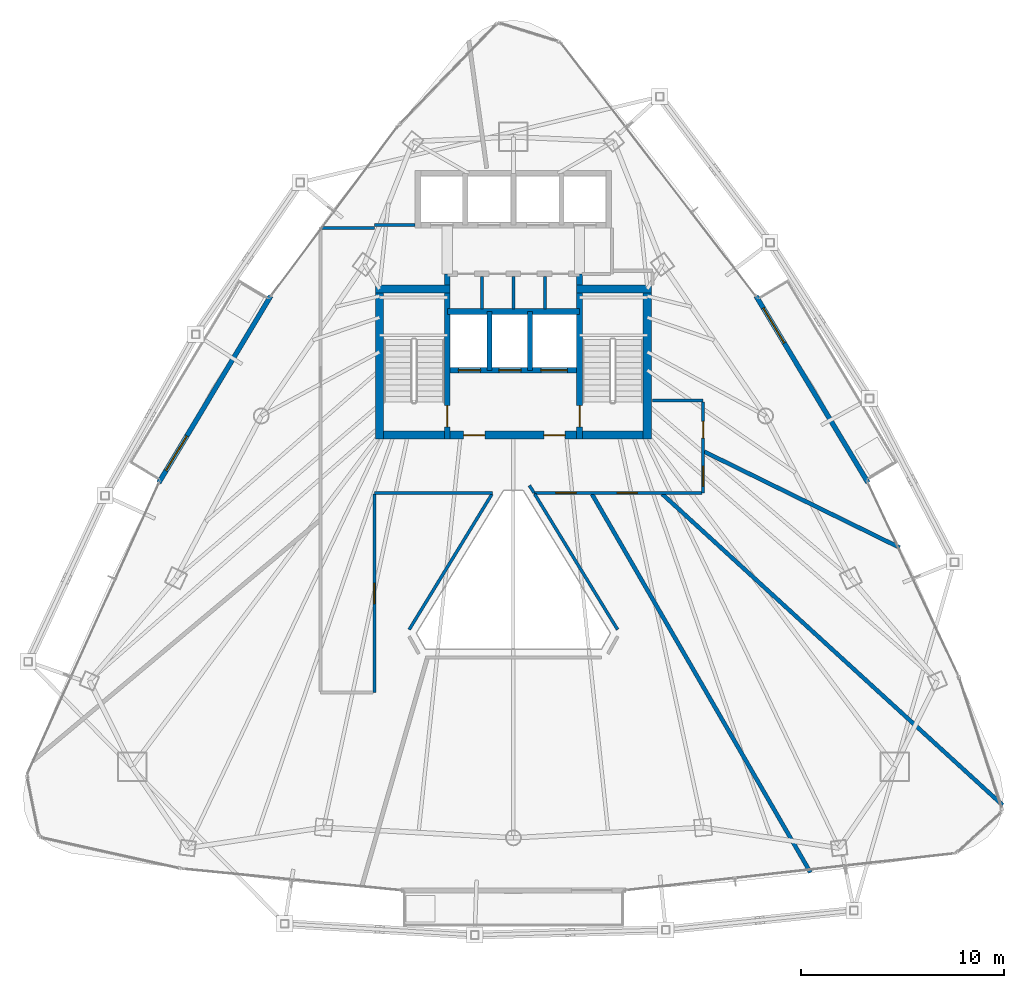
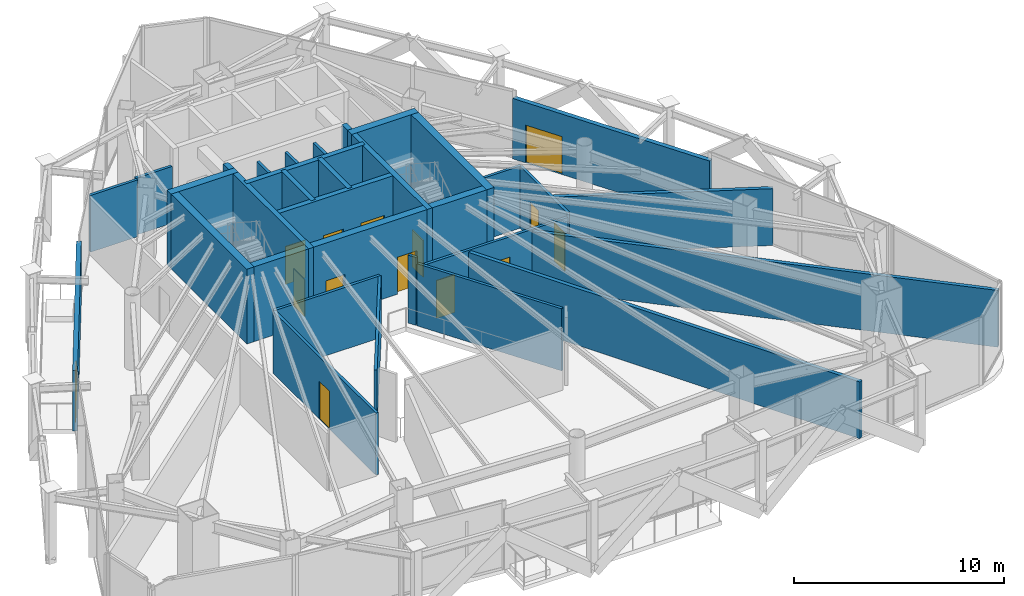
# One storey, part 23 of 27: 29 walls, 14 doors, 14 openings.
"""IFC4 building model written with IfcOpenShell, lengths in metres."""

from ifc_helpers import new_model, si_unit, direction, frame, frame_2d, origin, place, context, subcontext, project, spatial, rectangle, extrude, material, layer, layer_set, type_object, element, fill, save


model = new_model("IFC4")

# Units and contexts
model_context = context("Model", 3, precision=1e-05, world=origin(), true_north=direction((0.0, 1.0)))
body_context = subcontext(model_context, "Body", "Model", "MODEL_VIEW")
ifc_project = project(units=[si_unit("LENGTHUNIT", "METRE"), si_unit("AREAUNIT", "SQUARE_METRE"), si_unit("VOLUMEUNIT", "CUBIC_METRE"), si_unit("PLANEANGLEUNIT", "RADIAN"), si_unit("MASSUNIT", "GRAM", prefix="KILO")], contexts=[model_context])

# Site, building, storey
site_placement = place(None, origin())
site = spatial("IfcSite", under=ifc_project, at=site_placement, CompositionType="ELEMENT")
building_placement = place(site_placement, origin())
building = spatial("IfcBuilding", under=site, at=building_placement, Name="Orvanel Arch Residences", CompositionType="ELEMENT")
storey_placement = place(building_placement, frame((0.0, 0.0, 186.949951171875)))
storey = spatial("IfcBuildingStorey", under=building, at=storey_placement, Name="L53", CompositionType="ELEMENT", Elevation=186.949951171875)

# Wall, opening, door
ifc_material_1 = material(Name="Precast concrete N50 (50 MPa)", Category="concrete")
ifc_layer_1 = layer(ifc_material_1, 0.239990234375)
ifc_layer_set_1 = layer_set([ifc_layer_1], Name="Precast concrete N50 (50 MPa)")
wall_type_1 = type_object("IfcWallType", Name="EW-BAL-240", PredefinedType="SOLIDWALL", material=ifc_layer_set_1)
wall_1_placement = place(storey_placement, frame((21.035888671875, 33.554931640625, 0.0), z_axis=(0.0, 0.0, 1.0), x_axis=(-0.514325167784, -0.857595255224, 0.0)))
wall_1 = element("IfcWall", 1, at=wall_1_placement, inside=storey, type_object=wall_type_1, Name="L53 Balcony Threshold Wall Face 1", PredefinedType="SOLIDWALL", context=body_context, shape_type="SweptSolid", body=[
    extrude(rectangle(XDim=10.734375, YDim=0.239990234375, at=frame_2d((5.3671875, 0.0))), origin(), (0.0, 0.0, 1.0), 3.51416015625),
])
opening_1_placement = place(wall_1_placement, frame((8.037109375, 0.0, 0.0)))
opening_1 = element("IfcOpeningElement", 2, at=opening_1_placement, cuts=wall_1, Name="Opening DT-200", PredefinedType="OPENING", context=body_context, shape_type="SweptSolid", body=[
    extrude(rectangle(XDim=2.0, YDim=2.199951171875, at=frame_2d((1.0, 1.10009765625))), frame((0.0, 0.1298828125, 0.0), z_axis=(0.0, -1.0, 0.0), x_axis=(1.0, 0.0, 0.0)), (0.0, 0.0, 1.0), 0.260009765625),
])
ifc_material_2 = material(Name="Bronze-anodised aluminium AA6063-T6", Category="aluminium")
door_type_1 = type_object("IfcDoorType", Name="DR-TER-2000", OperationType="NOTDEFINED", PredefinedType="DOOR", material=ifc_material_2)
door_1_placement = place(opening_1_placement, origin())
door_1 = element("IfcDoor", 3, at=door_1_placement, inside=storey, type_object=door_type_1, Name="DR-L53-BAL-F1 L53 Planted Balcony Access Door Face 1", OperationType="SINGLE_SWING_LEFT", OverallHeight=2.199951171875, OverallWidth=2.0, PredefinedType="DOOR", context=body_context, shape_type="SweptSolid", body=[
    extrude(rectangle(XDim=2.0, YDim=2.199951171875, at=frame_2d((1.0, 1.10009765625))), frame((0.0, 0.02490234375, 0.0), z_axis=(0.0, -1.0, 0.0), x_axis=(1.0, 0.0, 0.0)), (0.0, 0.0, 1.0), 0.050048828125),
])
fill(opening_1, door_1)

wall_2_placement = place(storey_placement, frame((50.485107421875, 24.34912109375, 0.0), z_axis=(0.0, 0.0, 1.0), x_axis=(-0.514325167784, 0.857595255224, 0.0)))
wall_2 = element("IfcWall", 4, at=wall_2_placement, inside=storey, type_object=wall_type_1, Name="L53 Balcony Threshold Wall Face 3", PredefinedType="SOLIDWALL", context=body_context, shape_type="SweptSolid", body=[
    extrude(rectangle(XDim=10.734375, YDim=0.239990234375, at=frame_2d((5.3671875, 0.0))), origin(), (0.0, 0.0, 1.0), 3.51416015625),
])
opening_2_placement = place(wall_2_placement, frame((8.037109375, 0.0, 0.0)))
opening_2 = element("IfcOpeningElement", 5, at=opening_2_placement, cuts=wall_2, Name="Opening DT-200", PredefinedType="OPENING", context=body_context, shape_type="SweptSolid", body=[
    extrude(rectangle(XDim=2.0, YDim=2.199951171875, at=frame_2d((1.0, 1.10009765625))), frame((0.0, 0.1298828125, 0.0), z_axis=(0.0, -1.0, 0.0), x_axis=(1.0, 0.0, 0.0)), (0.0, 0.0, 1.0), 0.260009765625),
])
door_2_placement = place(opening_2_placement, origin())
door_2 = element("IfcDoor", 6, at=door_2_placement, inside=storey, type_object=door_type_1, Name="DR-L53-BAL-F3 L53 Planted Balcony Access Door Face 3", OperationType="SINGLE_SWING_LEFT", OverallHeight=2.199951171875, OverallWidth=2.0, PredefinedType="DOOR", context=body_context, shape_type="SweptSolid", body=[
    extrude(rectangle(XDim=2.0, YDim=2.199951171875, at=frame_2d((1.0, 1.10009765625))), frame((0.0, 0.02490234375, 0.0), z_axis=(0.0, -1.0, 0.0), x_axis=(1.0, 0.0, 0.0)), (0.0, 0.0, 1.0), 0.050048828125),
])
fill(opening_2, door_2)

# Walls
ifc_material_3 = material(Name="Concrete N50 (50 MPa)", Category="concrete")
ifc_layer_2 = layer(ifc_material_3, 0.25)
ifc_layer_set_2 = layer_set([ifc_layer_2], Name="Concrete N50 (50 MPa)")
wall_type_2 = type_object("IfcWallType", Name="SW-CORE-250", PredefinedType="SHEAR", material=ifc_layer_set_2)
for number, where, z_axis, x_axis, name in (
    (7, (31.824951171875, 29.889892578125, 0.0), (0.0, 0.0, 1.0), (0.0, 1.0, 0.0), "L53 Emergency Lift Inter-Shaft Wall F12"),
    (8, (33.824951171875, 29.889892578125, 0.0), (0.0, 0.0, 1.0), (0.0, 1.0, 0.0), "L53 Emergency Lift Inter-Shaft Wall F2G"),
):
    element("IfcWall", number, at=place(storey_placement, frame(where, z_axis=z_axis, x_axis=x_axis)), inside=storey, type_object=wall_type_2, Name=name, PredefinedType="SHEAR", context=body_context, shape_type="SweptSolid", body=[
        extrude(rectangle(XDim=2.900146484375, YDim=0.25, at=frame_2d((1.4501953125, 0.0))), origin(), (0.0, 0.0, 1.0), 4.35009765625),
    ])

# Wall, opening, door
ifc_material_4 = material(Name="Concrete S65 (65 MPa)", Category="concrete")
ifc_layer_3 = layer(ifc_material_4, 0.280029296875)
ifc_layer_set_3 = layer_set([ifc_layer_3], Name="Concrete S65 (65 MPa)")
wall_type_3 = type_object("IfcWallType", Name="SW-CORE-280", PredefinedType="SHEAR", material=ifc_layer_set_3)
wall_3_placement = place(storey_placement, frame((29.739990234375, 26.5, 0.0), z_axis=(0.0, 0.0, 1.0), x_axis=(0.0, 1.0, 0.0)))
wall_3 = element("IfcWall", 9, at=wall_3_placement, inside=storey, type_object=wall_type_3, Name="L53 West Inner Core Spine Shear Wall", PredefinedType="SHEAR", context=body_context, shape_type="SweptSolid", body=[
    extrude(rectangle(XDim=8.14990234375, YDim=0.280029296875, at=frame_2d((4.074951171875, 0.0))), origin(), (0.0, 0.0, 1.0), 4.35009765625),
])
opening_3_placement = place(wall_3_placement, frame((0.60009765625, 0.0, 0.0)))
opening_3 = element("IfcOpeningElement", 10, at=opening_3_placement, cuts=wall_3, Name="Opening DF-120", PredefinedType="OPENING", context=body_context, shape_type="SweptSolid", body=[
    extrude(rectangle(XDim=1.050048828125, YDim=2.14990234375, at=frame_2d((0.52490234375, 1.074951171875))), frame((0.0, 0.14990234375, 0.0), z_axis=(0.0, -1.0, 0.0), x_axis=(1.0, 0.0, 0.0)), (0.0, 0.0, 1.0), 0.300048828125),
])
ifc_material_5 = material(Name="Galvanised steel fire-resisting door assembly", Category="steel")
door_type_2 = type_object("IfcDoorType", Name="DR-FD120-1050", OperationType="NOTDEFINED", PredefinedType="DOOR", material=ifc_material_5)
door_3_placement = place(opening_3_placement, origin())
door_3 = element("IfcDoor", 11, at=door_3_placement, inside=storey, type_object=door_type_2, Name="DR-L53-ST1 L53 Stair 1 Fire Door", OperationType="SINGLE_SWING_LEFT", OverallHeight=2.14990234375, OverallWidth=1.050048828125, PredefinedType="DOOR", context=body_context, shape_type="SweptSolid", body=[
    extrude(rectangle(XDim=1.050048828125, YDim=2.14990234375, at=frame_2d((0.52490234375, 1.074951171875))), frame((0.0, 0.02490234375, 0.0), z_axis=(0.0, -1.0, 0.0), x_axis=(1.0, 0.0, 0.0)), (0.0, 0.0, 1.0), 0.050048828125),
])
fill(opening_3, door_3)

wall_4_placement = place(storey_placement, frame((36.260009765625, 26.5, 0.0), z_axis=(0.0, 0.0, 1.0), x_axis=(0.0, 1.0, 0.0)))
wall_4 = element("IfcWall", 12, at=wall_4_placement, inside=storey, type_object=wall_type_3, Name="L53 East Inner Core Spine Shear Wall", PredefinedType="SHEAR", context=body_context, shape_type="SweptSolid", body=[
    extrude(rectangle(XDim=8.14990234375, YDim=0.280029296875, at=frame_2d((4.074951171875, 0.0))), origin(), (0.0, 0.0, 1.0), 4.35009765625),
])
opening_4_placement = place(wall_4_placement, frame((0.60009765625, 0.0, 0.0)))
opening_4 = element("IfcOpeningElement", 13, at=opening_4_placement, cuts=wall_4, Name="Opening DF-120", PredefinedType="OPENING", context=body_context, shape_type="SweptSolid", body=[
    extrude(rectangle(XDim=1.050048828125, YDim=2.14990234375, at=frame_2d((0.52490234375, 1.074951171875))), frame((0.0, 0.14990234375, 0.0), z_axis=(0.0, -1.0, 0.0), x_axis=(1.0, 0.0, 0.0)), (0.0, 0.0, 1.0), 0.300048828125),
])
door_4_placement = place(opening_4_placement, origin())
door_4 = element("IfcDoor", 14, at=door_4_placement, inside=storey, type_object=door_type_2, Name="DR-L53-ST2 L53 Stair 2 Fire Door", OperationType="SINGLE_SWING_RIGHT", OverallHeight=2.14990234375, OverallWidth=1.050048828125, PredefinedType="DOOR", context=body_context, shape_type="SweptSolid", body=[
    extrude(rectangle(XDim=1.050048828125, YDim=2.14990234375, at=frame_2d((0.52490234375, 1.074951171875))), frame((0.0, 0.02490234375, 0.0), z_axis=(0.0, -1.0, 0.0), x_axis=(1.0, 0.0, 0.0)), (0.0, 0.0, 1.0), 0.050048828125),
])
fill(opening_4, door_4)

# Wall, openings, doors
wall_5_placement = place(storey_placement, frame((36.260009765625, 29.889892578125, 0.0), z_axis=(0.0, 0.0, 1.0), x_axis=(-1.0, 0.0, 0.0)))
wall_5 = element("IfcWall", 15, at=wall_5_placement, inside=storey, type_object=wall_type_3, Name="L53 Emergency Lift Front Core Shear Wall", PredefinedType="SHEAR", context=body_context, shape_type="SweptSolid", body=[
    extrude(rectangle(XDim=6.52001953125, YDim=0.280029296875, at=frame_2d((3.260009765625, 0.0))), origin(), (0.0, 0.0, 1.0), 4.35009765625),
])
opening_5_placement = place(wall_5_placement, frame((4.875, 0.0, 0.0)))
opening_5 = element("IfcOpeningElement", 16, at=opening_5_placement, cuts=wall_5, Name="Opening LD-110", PredefinedType="OPENING", context=body_context, shape_type="SweptSolid", body=[
    extrude(rectangle(XDim=1.10009765625, YDim=2.199951171875, at=frame_2d((0.550048828125, 1.10009765625))), frame((0.0, 0.14990234375, 0.0), z_axis=(0.0, -1.0, 0.0), x_axis=(1.0, 0.0, 0.0)), (0.0, 0.0, 1.0), 0.300048828125),
])
opening_6_placement = place(wall_5_placement, frame((2.875, 0.0, 0.0)))
opening_6 = element("IfcOpeningElement", 17, at=opening_6_placement, cuts=wall_5, Name="Opening LD-110", PredefinedType="OPENING", context=body_context, shape_type="SweptSolid", body=[
    extrude(rectangle(XDim=1.10009765625, YDim=2.199951171875, at=frame_2d((0.550048828125, 1.10009765625))), frame((0.0, 0.14990234375, 0.0), z_axis=(0.0, -1.0, 0.0), x_axis=(1.0, 0.0, 0.0)), (0.0, 0.0, 1.0), 0.300048828125),
])
opening_7_placement = place(wall_5_placement, frame((0.60009765625, 0.0, 0.0)))
opening_7 = element("IfcOpeningElement", 18, at=opening_7_placement, cuts=wall_5, Name="Opening LD-130", PredefinedType="OPENING", context=body_context, shape_type="SweptSolid", body=[
    extrude(rectangle(XDim=1.300048828125, YDim=2.199951171875, at=frame_2d((0.64990234375, 1.10009765625))), frame((0.0, 0.14990234375, 0.0), z_axis=(0.0, -1.0, 0.0), x_axis=(1.0, 0.0, 0.0)), (0.0, 0.0, 1.0), 0.300048828125),
])
door_type_3 = type_object("IfcDoorType", Name="DR-LFT-1100", OperationType="NOTDEFINED", PredefinedType="DOOR", material=ifc_material_5)
door_5_placement = place(opening_5_placement, origin())
door_5 = element("IfcDoor", 19, at=door_5_placement, inside=storey, type_object=door_type_3, Name="LD-F1-L53 L53 Lift F1 Sliding Landing Door", OperationType="DOUBLE_DOOR_SLIDING", OverallHeight=2.199951171875, OverallWidth=1.10009765625, PredefinedType="DOOR", context=body_context, shape_type="SweptSolid", body=[
    extrude(rectangle(XDim=1.10009765625, YDim=2.199951171875, at=frame_2d((0.550048828125, 1.10009765625))), frame((0.0, 0.02490234375, 0.0), z_axis=(0.0, -1.0, 0.0), x_axis=(1.0, 0.0, 0.0)), (0.0, 0.0, 1.0), 0.050048828125),
])
fill(opening_5, door_5)
door_6_placement = place(opening_6_placement, origin())
door_6 = element("IfcDoor", 20, at=door_6_placement, inside=storey, type_object=door_type_3, Name="LD-F2-L53 L53 Lift F2 Sliding Landing Door", OperationType="DOUBLE_DOOR_SLIDING", OverallHeight=2.199951171875, OverallWidth=1.10009765625, PredefinedType="DOOR", context=body_context, shape_type="SweptSolid", body=[
    extrude(rectangle(XDim=1.10009765625, YDim=2.199951171875, at=frame_2d((0.550048828125, 1.10009765625))), frame((0.0, 0.02490234375, 0.0), z_axis=(0.0, -1.0, 0.0), x_axis=(1.0, 0.0, 0.0)), (0.0, 0.0, 1.0), 0.050048828125),
])
fill(opening_6, door_6)
door_type_4 = type_object("IfcDoorType", Name="DR-LFT-1300", OperationType="NOTDEFINED", PredefinedType="DOOR", material=ifc_material_5)
door_7_placement = place(opening_7_placement, origin())
door_7 = element("IfcDoor", 21, at=door_7_placement, inside=storey, type_object=door_type_4, Name="LD-G1-L53 L53 Lift G1 Sliding Landing Door", OperationType="DOUBLE_DOOR_SLIDING", OverallHeight=2.199951171875, OverallWidth=1.300048828125, PredefinedType="DOOR", context=body_context, shape_type="SweptSolid", body=[
    extrude(rectangle(XDim=1.300048828125, YDim=2.199951171875, at=frame_2d((0.64990234375, 1.10009765625))), frame((0.0, 0.02490234375, 0.0), z_axis=(0.0, -1.0, 0.0), x_axis=(1.0, 0.0, 0.0)), (0.0, 0.0, 1.0), 0.050048828125),
])
fill(opening_7, door_7)

# Wall
wall_6_placement = place(storey_placement, frame((29.739990234375, 32.7900390625, 0.0), z_axis=(0.0, 0.0, 1.0), x_axis=(1.0, 0.0, 0.0)))
element("IfcWall", 22, at=wall_6_placement, inside=storey, type_object=wall_type_3, Name="L53 Emergency Lift Back Core Shear Wall", PredefinedType="SHEAR", context=body_context, shape_type="SweptSolid", body=[
    extrude(rectangle(XDim=6.52001953125, YDim=0.280029296875, at=frame_2d((3.260009765625, 0.0))), origin(), (0.0, 0.0, 1.0), 4.35009765625),
])

# Wall, openings, doors
ifc_layer_4 = layer(ifc_material_4, 0.39990234375)
ifc_layer_set_4 = layer_set([ifc_layer_4], Name="Concrete S65 (65 MPa)")
wall_type_4 = type_object("IfcWallType", Name="SW-CORE-400", PredefinedType="SHEAR", material=ifc_layer_set_4)
wall_7_placement = place(storey_placement, frame((26.199951171875, 26.699951171875, 0.0), z_axis=(0.0, 0.0, 1.0), x_axis=(1.0, 0.0, 0.0)))
wall_7 = element("IfcWall", 23, at=wall_7_placement, inside=storey, type_object=wall_type_4, Name="L53 South Core Shear Wall", PredefinedType="SHEAR", context=body_context, shape_type="SweptSolid", body=[
    extrude(rectangle(XDim=13.60009765625, YDim=0.39990234375, at=frame_2d((6.800048828125, 0.0))), origin(), (0.0, 0.0, 1.0), 4.35009765625),
])
opening_8_placement = place(wall_7_placement, frame((4.35009765625, 0.0, 0.0)))
opening_8 = element("IfcOpeningElement", 24, at=opening_8_placement, cuts=wall_7, Name="Opening DF-060", PredefinedType="OPENING", context=body_context, shape_type="SweptSolid", body=[
    extrude(rectangle(XDim=1.050048828125, YDim=2.14990234375, at=frame_2d((0.52490234375, 1.074951171875))), frame((0.0, 0.2099609375, 0.0), z_axis=(0.0, -1.0, 0.0), x_axis=(1.0, 0.0, 0.0)), (0.0, 0.0, 1.0), 0.419921875),
])
opening_9_placement = place(wall_7_placement, frame((8.300048828125, 0.0, 0.0)))
opening_9 = element("IfcOpeningElement", 25, at=opening_9_placement, cuts=wall_7, Name="Opening DF-060", PredefinedType="OPENING", context=body_context, shape_type="SweptSolid", body=[
    extrude(rectangle(XDim=1.050048828125, YDim=2.14990234375, at=frame_2d((0.52490234375, 1.074951171875))), frame((0.0, 0.2099609375, 0.0), z_axis=(0.0, -1.0, 0.0), x_axis=(1.0, 0.0, 0.0)), (0.0, 0.0, 1.0), 0.419921875),
])
door_type_5 = type_object("IfcDoorType", Name="DR-FD60-1050", OperationType="NOTDEFINED", PredefinedType="DOOR", material=ifc_material_5)
door_8_placement = place(opening_8_placement, origin())
door_8 = element("IfcDoor", 26, at=door_8_placement, inside=storey, type_object=door_type_5, Name="DR-L53-FFL-W L53 West Smoke Lobby Door", OperationType="SINGLE_SWING_LEFT", OverallHeight=2.14990234375, OverallWidth=1.050048828125, PredefinedType="DOOR", context=body_context, shape_type="SweptSolid", body=[
    extrude(rectangle(XDim=1.050048828125, YDim=2.14990234375, at=frame_2d((0.52490234375, 1.074951171875))), frame((0.0, 0.02490234375, 0.0), z_axis=(0.0, -1.0, 0.0), x_axis=(1.0, 0.0, 0.0)), (0.0, 0.0, 1.0), 0.050048828125),
])
fill(opening_8, door_8)
door_9_placement = place(opening_9_placement, origin())
door_9 = element("IfcDoor", 27, at=door_9_placement, inside=storey, type_object=door_type_5, Name="DR-L53-FFL-E L53 East Smoke Lobby Door", OperationType="SINGLE_SWING_RIGHT", OverallHeight=2.14990234375, OverallWidth=1.050048828125, PredefinedType="DOOR", context=body_context, shape_type="SweptSolid", body=[
    extrude(rectangle(XDim=1.050048828125, YDim=2.14990234375, at=frame_2d((0.52490234375, 1.074951171875))), frame((0.0, 0.02490234375, 0.0), z_axis=(0.0, -1.0, 0.0), x_axis=(1.0, 0.0, 0.0)), (0.0, 0.0, 1.0), 0.050048828125),
])
fill(opening_9, door_9)

# Walls
wall_8_placement = place(storey_placement, frame((26.39990234375, 26.5, 0.0), z_axis=(0.0, 0.0, 1.0), x_axis=(0.0, 1.0, 0.0)))
element("IfcWall", 28, at=wall_8_placement, inside=storey, type_object=wall_type_4, Name="L53 West Stair Shear Wall", PredefinedType="SHEAR", context=body_context, shape_type="SweptSolid", body=[
    extrude(rectangle(XDim=7.60009765625, YDim=0.39990234375, at=frame_2d((3.800048828125, 0.0))), origin(), (0.0, 0.0, 1.0), 4.35009765625),
])
wall_9_placement = place(storey_placement, frame((26.199951171875, 33.89990234375, 0.0), z_axis=(0.0, 0.0, 1.0), x_axis=(1.0, 0.0, 0.0)))
element("IfcWall", 29, at=wall_9_placement, inside=storey, type_object=wall_type_4, Name="L53 West Stair North Shear Wall", PredefinedType="SHEAR", context=body_context, shape_type="SweptSolid", body=[
    extrude(rectangle(XDim=3.679931640625, YDim=0.39990234375, at=frame_2d((1.83984375, 0.0))), origin(), (0.0, 0.0, 1.0), 4.35009765625),
])
wall_10_placement = place(storey_placement, frame((39.60009765625, 26.5, 0.0), z_axis=(0.0, 0.0, 1.0), x_axis=(0.0, 1.0, 0.0)))
element("IfcWall", 30, at=wall_10_placement, inside=storey, type_object=wall_type_4, Name="L53 East Stair Shear Wall", PredefinedType="SHEAR", context=body_context, shape_type="SweptSolid", body=[
    extrude(rectangle(XDim=7.60009765625, YDim=0.39990234375, at=frame_2d((3.800048828125, 0.0))), origin(), (0.0, 0.0, 1.0), 4.35009765625),
])
wall_11_placement = place(storey_placement, frame((36.1201171875, 33.89990234375, 0.0), z_axis=(0.0, 0.0, 1.0), x_axis=(1.0, 0.0, 0.0)))
element("IfcWall", 31, at=wall_11_placement, inside=storey, type_object=wall_type_4, Name="L53 East Stair North Shear Wall", PredefinedType="SHEAR", context=body_context, shape_type="SweptSolid", body=[
    extrude(rectangle(XDim=3.679931640625, YDim=0.39990234375, at=frame_2d((1.83984375, 0.0))), origin(), (0.0, 0.0, 1.0), 4.35009765625),
])
ifc_material_6 = material(Name="Fire-rated plasterboard lined steel stud partition", Category="steel")
ifc_layer_5 = layer(ifc_material_6, 0.14990234375)
ifc_layer_set_5 = layer_set([ifc_layer_5], Name="Fire-rated plasterboard lined steel stud partition")
wall_type_5 = type_object("IfcWallType", Name="W-COR-150", PredefinedType="PARTITIONING", material=ifc_layer_set_5)
wall_12_placement = place(storey_placement, frame((31.98095703125, 23.85009765625, 0.0), z_axis=(0.0, 0.0, 1.0), x_axis=(-1.0, 0.0, 0.0)))
element("IfcWall", 32, at=wall_12_placement, inside=storey, type_object=wall_type_5, Name="L53 Community Corridor Wall", PredefinedType="PARTITIONING", context=body_context, shape_type="SweptSolid", body=[
    extrude(rectangle(XDim=5.8310546875, YDim=0.14990234375, at=frame_2d((2.91552734375, 0.0))), origin(), (0.0, 0.0, 1.0), 3.611083984375),
])

# Wall, opening, door
wall_13_placement = place(storey_placement, frame((26.14990234375, 23.7900390625, 0.0), z_axis=(0.0, 0.0, 1.0), x_axis=(0.0, -1.0, 0.0)))
wall_13 = element("IfcWall", 33, at=wall_13_placement, inside=storey, type_object=wall_type_5, Name="L53 Community Corridor Wall", PredefinedType="PARTITIONING", context=body_context, shape_type="SweptSolid", body=[
    extrude(rectangle(XDim=9.7900390625, YDim=0.14990234375, at=frame_2d((4.89501953125, 0.0))), origin(), (0.0, 0.0, 1.0), 3.611083984375),
])
opening_10_placement = place(wall_13_placement, frame((4.39501953125, 0.0, 0.0)))
opening_10 = element("IfcOpeningElement", 34, at=opening_10_placement, cuts=wall_13, Name="Opening DP-100", PredefinedType="OPENING", context=body_context, shape_type="SweptSolid", body=[
    extrude(rectangle(XDim=1.0, YDim=2.199951171875, at=frame_2d((0.5, 1.10009765625))), frame((0.0, 0.0849609375, 0.0), z_axis=(0.0, -1.0, 0.0), x_axis=(1.0, 0.0, 0.0)), (0.0, 0.0, 1.0), 0.169921875),
])
ifc_material_7 = material(Name="Solid-core European oak veneer fire door leaf", Category="wood")
door_type_6 = type_object("IfcDoorType", Name="DR-POD-1000", OperationType="NOTDEFINED", PredefinedType="DOOR", material=ifc_material_7)
door_10_placement = place(opening_10_placement, origin())
door_10 = element("IfcDoor", 35, at=door_10_placement, inside=storey, type_object=door_type_6, Name="DR-L53-OFC-3 L53 Executive Work Office Door", OperationType="SINGLE_SWING_LEFT", OverallHeight=2.199951171875, OverallWidth=1.0, PredefinedType="DOOR", context=body_context, shape_type="SweptSolid", body=[
    extrude(rectangle(XDim=1.0, YDim=2.199951171875, at=frame_2d((0.5, 1.10009765625))), frame((0.0, 0.02490234375, 0.0), z_axis=(0.0, -1.0, 0.0), x_axis=(1.0, 0.0, 0.0)), (0.0, 0.0, 1.0), 0.050048828125),
])
fill(opening_10, door_10)

# Walls
wall_14_placement = place(storey_placement, frame((23.56005859375, 36.89990234375, 0.0), z_axis=(0.0, 0.0, 1.0), x_axis=(1.0, 0.0, 0.0)))
element("IfcWall", 36, at=wall_14_placement, inside=storey, type_object=wall_type_5, Name="L53 Community Corridor Wall", PredefinedType="PARTITIONING", context=body_context, shape_type="SweptSolid", body=[
    extrude(rectangle(XDim=2.58984375, YDim=0.14990234375, at=frame_2d((1.294921875, 0.0))), origin(), (0.0, 0.0, 1.0), 3.302978515625),
])
wall_15_placement = place(storey_placement, frame((39.85009765625, 28.39990234375, 0.0), z_axis=(0.0, 0.0, 1.0), x_axis=(1.0, 0.0, 0.0)))
element("IfcWall", 37, at=wall_15_placement, inside=storey, type_object=wall_type_5, Name="L53 Community Corridor Wall", PredefinedType="PARTITIONING", context=body_context, shape_type="SweptSolid", body=[
    extrude(rectangle(XDim=2.5, YDim=0.14990234375, at=frame_2d((1.25, 0.0))), origin(), (0.0, 0.0, 1.0), 3.611083984375),
])

# Wall, openings, doors
wall_16_placement = place(storey_placement, frame((42.35009765625, 28.340087890625, 0.0), z_axis=(0.0, 0.0, 1.0), x_axis=(0.0, -1.0, 0.0)))
wall_16 = element("IfcWall", 38, at=wall_16_placement, inside=storey, type_object=wall_type_5, Name="L53 Community Corridor Wall", PredefinedType="PARTITIONING", context=body_context, shape_type="SweptSolid", body=[
    extrude(rectangle(XDim=4.489990234375, YDim=0.14990234375, at=frame_2d((2.2451171875, 0.0))), origin(), (0.0, 0.0, 1.0), 3.611083984375),
])
opening_11_placement = place(wall_16_placement, frame((0.967041015625, 0.0, 0.0)))
opening_11 = element("IfcOpeningElement", 39, at=opening_11_placement, cuts=wall_16, Name="Opening DW-082", PredefinedType="OPENING", context=body_context, shape_type="SweptSolid", body=[
    extrude(rectangle(XDim=0.820068359375, YDim=2.10009765625, at=frame_2d((0.41015625, 1.050048828125))), frame((0.0, 0.0849609375, 0.0), z_axis=(0.0, -1.0, 0.0), x_axis=(1.0, 0.0, 0.0)), (0.0, 0.0, 1.0), 0.169921875),
])
opening_12_placement = place(wall_16_placement, frame((3.169921875, 0.0, 0.0)))
opening_12 = element("IfcOpeningElement", 40, at=opening_12_placement, cuts=wall_16, Name="Opening DP-100", PredefinedType="OPENING", context=body_context, shape_type="SweptSolid", body=[
    extrude(rectangle(XDim=1.0, YDim=2.199951171875, at=frame_2d((0.5, 1.10009765625))), frame((0.0, 0.0849609375, 0.0), z_axis=(0.0, -1.0, 0.0), x_axis=(1.0, 0.0, 0.0)), (0.0, 0.0, 1.0), 0.169921875),
])
door_11_placement = place(opening_12_placement, origin())
door_11 = element("IfcDoor", 41, at=door_11_placement, inside=storey, type_object=door_type_6, Name="DR-L53-STU-5 L53 Resident Study Lounge Door", OperationType="SINGLE_SWING_LEFT", OverallHeight=2.199951171875, OverallWidth=1.0, PredefinedType="DOOR", context=body_context, shape_type="SweptSolid", body=[
    extrude(rectangle(XDim=1.0, YDim=2.199951171875, at=frame_2d((0.5, 1.10009765625))), frame((0.0, 0.02490234375, 0.0), z_axis=(0.0, -1.0, 0.0), x_axis=(1.0, 0.0, 0.0)), (0.0, 0.0, 1.0), 0.050048828125),
])
fill(opening_12, door_11)
door_type_7 = type_object("IfcDoorType", Name="DR-WET-820", OperationType="NOTDEFINED", PredefinedType="DOOR", material=ifc_material_7)
door_12_placement = place(opening_11_placement, origin())
door_12 = element("IfcDoor", 42, at=door_12_placement, inside=storey, type_object=door_type_7, Name="DR-L53-WC-0 L53 Accessible Restrooms Door", OperationType="SINGLE_SWING_LEFT", OverallHeight=2.10009765625, OverallWidth=0.820068359375, PredefinedType="DOOR", context=body_context, shape_type="SweptSolid", body=[
    extrude(rectangle(XDim=0.820068359375, YDim=2.10009765625, at=frame_2d((0.41015625, 1.050048828125))), frame((0.0, 0.02490234375, 0.0), z_axis=(0.0, -1.0, 0.0), x_axis=(1.0, 0.0, 0.0)), (0.0, 0.0, 1.0), 0.050048828125),
])
fill(opening_11, door_12)

wall_17_placement = place(storey_placement, frame((42.2900390625, 23.85009765625, 0.0), z_axis=(0.0, 0.0, 1.0), x_axis=(-1.0, 0.0, 0.0)))
wall_17 = element("IfcWall", 43, at=wall_17_placement, inside=storey, type_object=wall_type_5, Name="L53 Community Corridor Wall", PredefinedType="PARTITIONING", context=body_context, shape_type="SweptSolid", body=[
    extrude(rectangle(XDim=8.27099609375, YDim=0.14990234375, at=frame_2d((4.135498046875, 0.0))), origin(), (0.0, 0.0, 1.0), 3.382080078125),
])
opening_13_placement = place(wall_17_placement, frame((3.178955078125, 0.0, 0.0)))
opening_13 = element("IfcOpeningElement", 44, at=opening_13_placement, cuts=wall_17, Name="Opening DP-100", PredefinedType="OPENING", context=body_context, shape_type="SweptSolid", body=[
    extrude(rectangle(XDim=1.0, YDim=2.199951171875, at=frame_2d((0.5, 1.10009765625))), frame((0.0, 0.0849609375, 0.0), z_axis=(0.0, -1.0, 0.0), x_axis=(1.0, 0.0, 0.0)), (0.0, 0.0, 1.0), 0.169921875),
])
opening_14_placement = place(wall_17_placement, frame((6.194091796875, 0.0, 0.0)))
opening_14 = element("IfcOpeningElement", 45, at=opening_14_placement, cuts=wall_17, Name="Opening DP-100", PredefinedType="OPENING", context=body_context, shape_type="SweptSolid", body=[
    extrude(rectangle(XDim=1.0, YDim=2.199951171875, at=frame_2d((0.5, 1.10009765625))), frame((0.0, 0.0849609375, 0.0), z_axis=(0.0, -1.0, 0.0), x_axis=(1.0, 0.0, 0.0)), (0.0, 0.0, 1.0), 0.169921875),
])
door_13_placement = place(opening_13_placement, origin())
door_13 = element("IfcDoor", 46, at=door_13_placement, inside=storey, type_object=door_type_6, Name="DR-L53-KIT-1 L53 Community Tasting Kitchen Door", OperationType="SINGLE_SWING_LEFT", OverallHeight=2.199951171875, OverallWidth=1.0, PredefinedType="DOOR", context=body_context, shape_type="SweptSolid", body=[
    extrude(rectangle(XDim=1.0, YDim=2.199951171875, at=frame_2d((0.5, 1.10009765625))), frame((0.0, 0.02490234375, 0.0), z_axis=(0.0, -1.0, 0.0), x_axis=(1.0, 0.0, 0.0)), (0.0, 0.0, 1.0), 0.050048828125),
])
fill(opening_13, door_13)
door_14_placement = place(opening_14_placement, origin())
door_14 = element("IfcDoor", 47, at=door_14_placement, inside=storey, type_object=door_type_6, Name="DR-L53-STR-4 L53 Community Linen and Equipment Store Door", OperationType="SINGLE_SWING_LEFT", OverallHeight=2.199951171875, OverallWidth=1.0, PredefinedType="DOOR", context=body_context, shape_type="SweptSolid", body=[
    extrude(rectangle(XDim=1.0, YDim=2.199951171875, at=frame_2d((0.5, 1.10009765625))), frame((0.0, 0.02490234375, 0.0), z_axis=(0.0, -1.0, 0.0), x_axis=(1.0, 0.0, 0.0)), (0.0, 0.0, 1.0), 0.050048828125),
])
fill(opening_14, door_14)

# Walls
wall_18_placement = place(storey_placement, frame((34.01904296875, 23.85009765625, 0.0), z_axis=(0.0, 0.0, 1.0), x_axis=(-0.531475127888, 0.84707389786, 0.0)))
element("IfcWall", 48, at=wall_18_placement, inside=storey, type_object=wall_type_5, Name="L53 Community Corridor Wall", PredefinedType="PARTITIONING", context=body_context, shape_type="SweptSolid", body=[
    extrude(rectangle(XDim=0.430908203125, YDim=0.14990234375, at=frame_2d((0.21533203125, 0.0))), origin(), (0.0, 0.0, 1.0), 3.949951171875),
])
wall_19_placement = place(storey_placement, frame((26.14990234375, 37.050048828125, 0.0), z_axis=(0.0, 0.0, 1.0), x_axis=(1.0, 0.0, 0.0)))
element("IfcWall", 49, at=wall_19_placement, inside=storey, type_object=wall_type_5, Name="L53 Core Perimeter Wall", PredefinedType="PARTITIONING", context=body_context, shape_type="SweptSolid", body=[
    extrude(rectangle(XDim=2.0, YDim=0.14990234375, at=frame_2d((1.0, 0.0))), origin(), (0.0, 0.0, 1.0), 3.302978515625),
])
wall_20_placement = place(storey_placement, frame((34.050048828125, 23.7900390625, 0.0), z_axis=(0.0, 0.0, 1.0), x_axis=(0.521890050344, -0.853012763886, 0.0)))
element("IfcWall", 50, at=wall_20_placement, inside=storey, type_object=wall_type_5, Name="L53 Atrium Glazed Wall", PredefinedType="PARTITIONING", context=body_context, shape_type="SweptSolid", body=[
    extrude(rectangle(XDim=7.8310546875, YDim=0.14990234375, at=frame_2d((3.91552734375, 0.0))), origin(), (0.0, 0.0, 1.0), 3.611083984375),
])
wall_21_placement = place(storey_placement, frame((27.863037109375, 17.110107421875, 0.0), z_axis=(0.0, 0.0, 1.0), x_axis=(0.521345296607, 0.853345816012, 0.0)))
element("IfcWall", 51, at=wall_21_placement, inside=storey, type_object=wall_type_5, Name="L53 Atrium Glazed Wall", PredefinedType="PARTITIONING", context=body_context, shape_type="SweptSolid", body=[
    extrude(rectangle(XDim=7.827880859375, YDim=0.14990234375, at=frame_2d((3.9140625, 0.0))), origin(), (0.0, 0.0, 1.0), 3.611083984375),
])
ifc_layer_6 = layer(ifc_material_6, 0.199951171875)
ifc_layer_set_6 = layer_set([ifc_layer_6], Name="Fire-rated plasterboard lined steel stud partition")
wall_type_6 = type_object("IfcWallType", Name="W-DEM-200", PredefinedType="PARTITIONING", material=ifc_layer_set_6)
wall_22_placement = place(storey_placement, frame((36.8740234375, 23.7900390625, 0.0), z_axis=(0.0, 0.0, 1.0), x_axis=(0.500032121579, -0.866006857588, 0.0)))
element("IfcWall", 52, at=wall_22_placement, inside=storey, type_object=wall_type_6, Name="L53 Amenity Wall", PredefinedType="PARTITIONING", context=body_context, shape_type="SweptSolid", body=[
    extrude(rectangle(XDim=21.54248046875, YDim=0.199951171875, at=frame_2d((10.771240234375, 0.0))), origin(), (0.0, 0.0, 1.0), 3.302978515625),
])
wall_23_placement = place(storey_placement, frame((40.341064453125, 23.7900390625, 0.0), z_axis=(0.0, 0.0, 1.0), x_axis=(0.738136385314, -0.674651522399, 0.0)))
element("IfcWall", 53, at=wall_23_placement, inside=storey, type_object=wall_type_6, Name="L53 Amenity Wall", PredefinedType="PARTITIONING", context=body_context, shape_type="SweptSolid", body=[
    extrude(rectangle(XDim=22.731689453125, YDim=0.199951171875, at=frame_2d((11.36572265625, 0.0))), origin(), (0.0, 0.0, 1.0), 3.302978515625),
])
wall_24_placement = place(storey_placement, frame((52.047119140625, 21.14990234375, 0.0), z_axis=(0.0, 0.0, 1.0), x_axis=(-0.897659923227, 0.440688849679, 0.0)))
element("IfcWall", 54, at=wall_24_placement, inside=storey, type_object=wall_type_6, Name="L53 Amenity Wall", PredefinedType="PARTITIONING", context=body_context, shape_type="SweptSolid", body=[
    extrude(rectangle(XDim=10.73583984375, YDim=0.199951171875, at=frame_2d((5.367919921875, 0.0))), origin(), (0.0, 0.0, 1.0), 3.302978515625),
])
ifc_layer_7 = layer(ifc_material_6, 0.14990234375)
ifc_layer_set_7 = layer_set([ifc_layer_7], Name="Fire-rated plasterboard lined steel stud partition")
wall_type_7 = type_object("IfcWallType", Name="W-ST-150", PredefinedType="PARTITIONING", material=ifc_layer_set_7)
for number, where, z_axis, x_axis, name in (
    (55, (31.449951171875, 32.9150390625, 0.0), (0.0, 0.0, 1.0), (0.0, 1.0, 0.0), "L53 Core Service Partition 1"),
    (56, (33.0, 32.9150390625, 0.0), (0.0, 0.0, 1.0), (0.0, 1.0, 0.0), "L53 Core Service Partition 2"),
    (57, (34.550048828125, 32.9150390625, 0.0), (0.0, 0.0, 1.0), (0.0, 1.0, 0.0), "L53 Core Service Partition 3"),
):
    element("IfcWall", number, at=place(storey_placement, frame(where, z_axis=z_axis, x_axis=x_axis)), inside=storey, type_object=wall_type_7, Name=name, PredefinedType="PARTITIONING", context=body_context, shape_type="SweptSolid", body=[
        extrude(rectangle(XDim=1.60986328125, YDim=0.14990234375, at=frame_2d((0.804931640625, 0.0))), origin(), (0.0, 0.0, 1.0), 3.949951171875),
    ])

save(model, "model.ifc")
